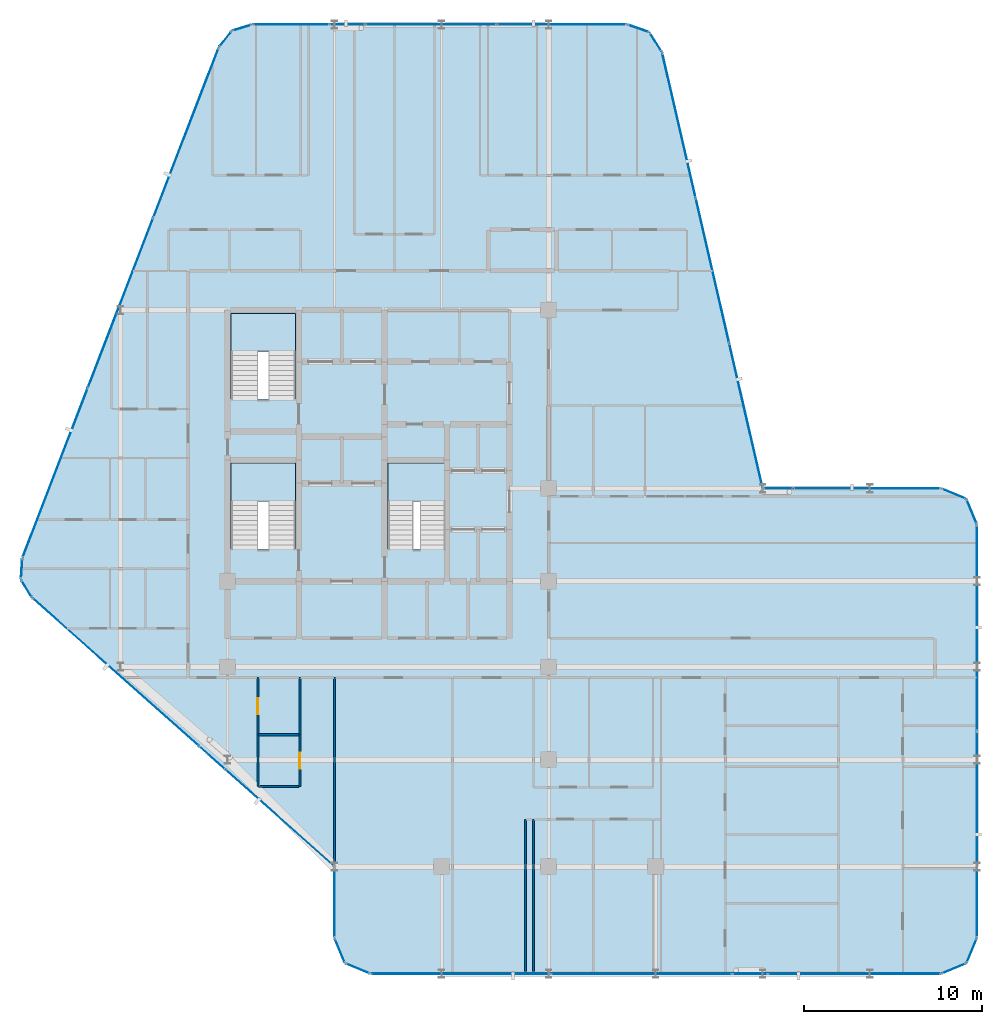
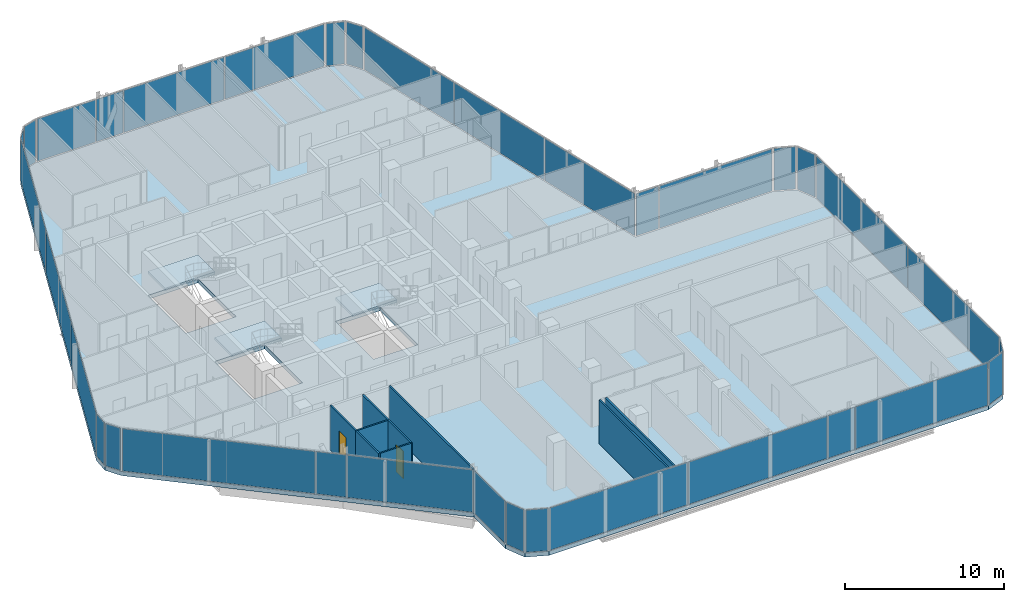
# One storey, part 22 of 29: 34 plates, 9 walls, 4 slabs, 2 doors, 2 openings, 30 elements without a shape of their own.
"""IFC4 building model written with IfcOpenShell, lengths in metres."""

from ifc_helpers import new_model, si_unit, direction, frame, frame_2d, origin, origin_2d, place, context, subcontext, project, spatial, polyline, rectangle, outline, extrude, material, layer, layer_set, type_object, element, fill, aggregate, save


model = new_model("IFC4")

# Units and contexts
model_context = context("Model", 3, precision=1e-05, world=origin(), true_north=direction((0.0, 1.0)))
body_context = subcontext(model_context, "Body", "Model", "MODEL_VIEW")
ifc_project = project(units=[si_unit("LENGTHUNIT", "METRE"), si_unit("AREAUNIT", "SQUARE_METRE"), si_unit("VOLUMEUNIT", "CUBIC_METRE"), si_unit("PLANEANGLEUNIT", "RADIAN"), si_unit("MASSUNIT", "GRAM", prefix="KILO")], contexts=[model_context])

# Site, building, storey
site_placement = place(None, origin())
site = spatial("IfcSite", under=ifc_project, at=site_placement, CompositionType="ELEMENT")
building_placement = place(site_placement, origin())
building = spatial("IfcBuilding", under=site, at=building_placement, Name="Keshet Zoharim Tower", CompositionType="ELEMENT")
storey_placement = place(building_placement, frame((0.0, 0.0, 203.199951171875)))
storey = spatial("IfcBuildingStorey", under=building, at=storey_placement, Name="L50", CompositionType="ELEMENT", Elevation=203.199951171875)

# Curtain wall, plate
ifc_material_1 = material(Name="Aluminium 6063-T6", Category="aluminium")
ifc_layer_1 = layer(ifc_material_1, 0.139892578125)
ifc_layer_set_1 = layer_set([ifc_layer_1], Name="Aluminium 6063-T6")
curtain_wall_type = type_object("IfcCurtainWallType", Name="CW-SYS-05", PredefinedType="NOTDEFINED", material=ifc_layer_set_1)
curtain_wall_1_placement = place(storey_placement, origin())
curtain_wall_1 = element("IfcCurtainWall", 1, at=curtain_wall_1_placement, inside=storey, type_object=curtain_wall_type, Name="L50 Unitised Curtain Wall 01", PredefinedType="NOTDEFINED")
ifc_material_2 = material(Name="Insulated Low-E Clear Glass", Category="glass")
ifc_layer_2 = layer(ifc_material_2, 0.031982421875)
ifc_layer_set_2 = layer_set([ifc_layer_2], Name="Insulated Low-E Clear Glass")
plate_type_1 = type_object("IfcPlateType", Name="CWP-02", PredefinedType="CURTAIN_PANEL", material=ifc_layer_set_2)
plate_1_placement = place(storey_placement, frame((55.70703125, 27.60693359375, 0.070068359375), z_axis=(0.0, 0.0, 1.0), x_axis=(0.92380975372, -0.382851849847, 0.0)))
plate_1 = element("IfcPlate", 2, at=plate_1_placement, type_object=plate_type_1, Name="CW-05 panel 1.1", PredefinedType="CURTAIN_PANEL", context=body_context, shape_type="SweptSolid", body=[
    extrude(rectangle(XDim=1.390625, YDim=0.031982421875, at=origin_2d()), origin(), (0.0, 0.0, 1.0), 3.25),
])
aggregate(curtain_wall_1, [plate_1])

curtain_wall_2_placement = place(storey_placement, origin())
curtain_wall_2 = element("IfcCurtainWall", 3, at=curtain_wall_2_placement, inside=storey, type_object=curtain_wall_type, Name="L50 Unitised Curtain Wall 02", PredefinedType="NOTDEFINED")
plate_2_placement = place(storey_placement, frame((56.70703125, 26.60693359375, 0.070068359375), z_axis=(0.0, 0.0, 1.0), x_axis=(0.382851849847, -0.92380975372, 0.0)))
plate_2 = element("IfcPlate", 4, at=plate_2_placement, type_object=plate_type_1, Name="CW-05 panel 1.1", PredefinedType="CURTAIN_PANEL", context=body_context, shape_type="SweptSolid", body=[
    extrude(rectangle(XDim=1.390625, YDim=0.031982421875, at=origin_2d()), origin(), (0.0, 0.0, 1.0), 3.25),
])
aggregate(curtain_wall_2, [plate_2])

# Curtain wall, plates
curtain_wall_3_placement = place(storey_placement, origin())
curtain_wall_3 = element("IfcCurtainWall", 5, at=curtain_wall_3_placement, inside=storey, type_object=curtain_wall_type, Name="L50 Unitised Curtain Wall 03", PredefinedType="NOTDEFINED")
plate_3_placement = place(storey_placement, frame((57.0, 20.08251953125, 0.070068359375), z_axis=(0.0, 0.0, 1.0), x_axis=(0.0, -1.0, 0.0)))
plate_3 = element("IfcPlate", 6, at=plate_3_placement, type_object=plate_type_1, Name="CW-05 panel 1.1", PredefinedType="CURTAIN_PANEL", context=body_context, shape_type="SweptSolid", body=[
    extrude(rectangle(XDim=11.4951171875, YDim=0.031982421875, at=origin_2d()), origin(), (0.0, 0.0, 1.0), 3.25),
])
plate_4_placement = place(storey_placement, frame((57.0, 8.517578125, 0.070068359375), z_axis=(0.0, 0.0, 1.0), x_axis=(0.0, -1.0, 0.0)))
plate_4 = element("IfcPlate", 7, at=plate_4_placement, type_object=plate_type_1, Name="CW-05 panel 2.1", PredefinedType="CURTAIN_PANEL", context=body_context, shape_type="SweptSolid", body=[
    extrude(rectangle(XDim=11.4951171875, YDim=0.031982421875, at=origin_2d()), origin(), (0.0, 0.0, 1.0), 3.25),
])
aggregate(curtain_wall_3, [plate_3, plate_4])

# Curtain wall, plate
curtain_wall_4_placement = place(storey_placement, origin())
curtain_wall_4 = element("IfcCurtainWall", 8, at=curtain_wall_4_placement, inside=storey, type_object=curtain_wall_type, Name="L50 Unitised Curtain Wall 04", PredefinedType="NOTDEFINED")
plate_5_placement = place(storey_placement, frame((56.70703125, 1.992919921875, 0.070068359375), z_axis=(0.0, 0.0, 1.0), x_axis=(-0.382851849847, -0.92380975372, 0.0)))
plate_5 = element("IfcPlate", 9, at=plate_5_placement, type_object=plate_type_1, Name="CW-05 panel 1.1", PredefinedType="CURTAIN_PANEL", context=body_context, shape_type="SweptSolid", body=[
    extrude(rectangle(XDim=1.390625, YDim=0.031982421875, at=origin_2d()), origin(), (0.0, 0.0, 1.0), 3.25),
])
aggregate(curtain_wall_4, [plate_5])

curtain_wall_5_placement = place(storey_placement, origin())
curtain_wall_5 = element("IfcCurtainWall", 10, at=curtain_wall_5_placement, inside=storey, type_object=curtain_wall_type, Name="L50 Unitised Curtain Wall 05", PredefinedType="NOTDEFINED")
plate_6_placement = place(storey_placement, frame((55.70703125, 0.992919921875, 0.070068359375), z_axis=(0.0, 0.0, 1.0), x_axis=(-0.92380975372, -0.382851849847, 0.0)))
plate_6 = element("IfcPlate", 11, at=plate_6_placement, type_object=plate_type_1, Name="CW-05 panel 1.1", PredefinedType="CURTAIN_PANEL", context=body_context, shape_type="SweptSolid", body=[
    extrude(rectangle(XDim=1.390625, YDim=0.031982421875, at=origin_2d()), origin(), (0.0, 0.0, 1.0), 3.25),
])
aggregate(curtain_wall_5, [plate_6])

curtain_wall_6_placement = place(storey_placement, origin())
curtain_wall_6 = element("IfcCurtainWall", 12, at=curtain_wall_6_placement, inside=storey, type_object=curtain_wall_type, Name="L50 Unitised Curtain Wall 06", PredefinedType="NOTDEFINED")
plate_7_placement = place(storey_placement, frame((50.1240234375, 0.699951171875, 0.070068359375), z_axis=(0.0, 0.0, 1.0), x_axis=(-1.0, 0.0, 0.0)))
plate_7 = element("IfcPlate", 13, at=plate_7_placement, type_object=plate_type_1, Name="CW-05 panel 1.1", PredefinedType="CURTAIN_PANEL", context=body_context, shape_type="SweptSolid", body=[
    extrude(rectangle(XDim=9.61181640625, YDim=0.031982421875, at=origin_2d()), origin(), (0.0, 0.0, 1.0), 3.25),
])
aggregate(curtain_wall_6, [plate_7])

# Curtain wall, plates
curtain_wall_7_placement = place(storey_placement, origin())
curtain_wall_7 = element("IfcCurtainWall", 14, at=curtain_wall_7_placement, inside=storey, type_object=curtain_wall_type, Name="L50 Unitised Curtain Wall 06 Part 3", PredefinedType="NOTDEFINED")
plate_8_placement = place(storey_placement, frame((38.20654296875, 0.699951171875, 0.070068359375), z_axis=(0.0, 0.0, 1.0), x_axis=(-1.0, 0.0, 0.0)))
plate_8 = element("IfcPlate", 15, at=plate_8_placement, type_object=plate_type_1, Name="CW-05 panel 1.1", PredefinedType="CURTAIN_PANEL", context=body_context, shape_type="SweptSolid", body=[
    extrude(rectangle(XDim=10.091064453125, YDim=0.031982421875, at=origin_2d()), origin(), (0.0, 0.0, 1.0), 3.25),
])
plate_9_placement = place(storey_placement, frame((28.08056640625, 0.699951171875, 0.070068359375), z_axis=(0.0, 0.0, 1.0), x_axis=(-1.0, 0.0, 0.0)))
plate_9 = element("IfcPlate", 16, at=plate_9_placement, type_object=plate_type_1, Name="CW-05 panel 2.1", PredefinedType="CURTAIN_PANEL", context=body_context, shape_type="SweptSolid", body=[
    extrude(rectangle(XDim=10.02099609375, YDim=0.031982421875, at=origin_2d()), origin(), (0.0, 0.0, 1.0), 3.25),
])
aggregate(curtain_wall_7, [plate_8, plate_9])

# Curtain wall, plate
curtain_wall_8_placement = place(storey_placement, origin())
curtain_wall_8 = element("IfcCurtainWall", 17, at=curtain_wall_8_placement, inside=storey, type_object=curtain_wall_type, Name="L50 Unitised Curtain Wall 07", PredefinedType="NOTDEFINED")
plate_10_placement = place(storey_placement, frame((22.29296875, 0.992919921875, 0.070068359375), z_axis=(0.0, 0.0, 1.0), x_axis=(-0.92380975372, 0.382851849847, 0.0)))
plate_10 = element("IfcPlate", 18, at=plate_10_placement, type_object=plate_type_1, Name="CW-05 panel 1.1", PredefinedType="CURTAIN_PANEL", context=body_context, shape_type="SweptSolid", body=[
    extrude(rectangle(XDim=1.390625, YDim=0.031982421875, at=origin_2d()), origin(), (0.0, 0.0, 1.0), 3.25),
])
aggregate(curtain_wall_8, [plate_10])

curtain_wall_9_placement = place(storey_placement, origin())
curtain_wall_9 = element("IfcCurtainWall", 19, at=curtain_wall_9_placement, inside=storey, type_object=curtain_wall_type, Name="L50 Unitised Curtain Wall 08", PredefinedType="NOTDEFINED")
plate_11_placement = place(storey_placement, frame((21.29296875, 1.992919921875, 0.070068359375), z_axis=(0.0, 0.0, 1.0), x_axis=(-0.382851849847, 0.92380975372, 0.0)))
plate_11 = element("IfcPlate", 20, at=plate_11_placement, type_object=plate_type_1, Name="CW-05 panel 1.1", PredefinedType="CURTAIN_PANEL", context=body_context, shape_type="SweptSolid", body=[
    extrude(rectangle(XDim=1.390625, YDim=0.031982421875, at=origin_2d()), origin(), (0.0, 0.0, 1.0), 3.25),
])
aggregate(curtain_wall_9, [plate_11])

curtain_wall_10_placement = place(storey_placement, origin())
curtain_wall_10 = element("IfcCurtainWall", 21, at=curtain_wall_10_placement, inside=storey, type_object=curtain_wall_type, Name="L50 Unitised Curtain Wall 09", PredefinedType="NOTDEFINED")
plate_12_placement = place(storey_placement, frame((21.0, 4.699951171875, 0.070068359375), z_axis=(0.0, 0.0, 1.0), x_axis=(0.0, 1.0, 0.0)))
plate_12 = element("IfcPlate", 22, at=plate_12_placement, type_object=plate_type_1, Name="CW-05 panel 1.1", PredefinedType="CURTAIN_PANEL", context=body_context, shape_type="SweptSolid", body=[
    extrude(rectangle(XDim=3.860107421875, YDim=0.031982421875, at=origin_2d()), origin(), (0.0, 0.0, 1.0), 3.25),
])
aggregate(curtain_wall_10, [plate_12])

curtain_wall_11_placement = place(storey_placement, origin())
curtain_wall_11 = element("IfcCurtainWall", 23, at=curtain_wall_11_placement, inside=storey, type_object=curtain_wall_type, Name="L50 Unitised Curtain Wall 10", PredefinedType="NOTDEFINED")
plate_13_placement = place(storey_placement, frame((17.92724609375, 9.431396484375, 0.070068359375), z_axis=(0.0, 0.0, 1.0), x_axis=(-0.74740596379, 0.664367613066, 0.0)))
plate_13 = element("IfcPlate", 24, at=plate_13_placement, type_object=plate_type_1, Name="CW-05 panel 1.1", PredefinedType="CURTAIN_PANEL", context=body_context, shape_type="SweptSolid", body=[
    extrude(rectangle(XDim=8.082763671875, YDim=0.031982421875, at=origin_2d()), origin(), (0.0, 0.0, 1.0), 3.25),
])
aggregate(curtain_wall_11, [plate_13])

curtain_wall_12_placement = place(storey_placement, origin())
curtain_wall_12 = element("IfcCurtainWall", 25, at=curtain_wall_12_placement, inside=storey, type_object=curtain_wall_type, Name="L50 Unitised Curtain Wall 10 Part 3", PredefinedType="NOTDEFINED")
plate_14_placement = place(storey_placement, frame((8.724853515625, 17.611328125, 0.070068359375), z_axis=(0.0, 0.0, 1.0), x_axis=(-0.747406666066, 0.664366823013, 0.0)))
plate_14 = element("IfcPlate", 26, at=plate_14_placement, type_object=plate_type_1, Name="CW-05 panel 1.1", PredefinedType="CURTAIN_PANEL", context=body_context, shape_type="SweptSolid", body=[
    extrude(rectangle(XDim=12.40966796875, YDim=0.031982421875, at=origin_2d()), origin(), (0.0, 0.0, 1.0), 3.25),
])
aggregate(curtain_wall_12, [plate_14])

curtain_wall_13_placement = place(storey_placement, origin())
curtain_wall_13 = element("IfcCurtainWall", 27, at=curtain_wall_13_placement, inside=storey, type_object=curtain_wall_type, Name="L50 Unitised Curtain Wall 11", PredefinedType="NOTDEFINED")
plate_15_placement = place(storey_placement, frame((3.7275390625, 22.291015625, 0.070068359375), z_axis=(0.0, 0.0, 1.0), x_axis=(-0.515604947933, 0.856826433805, 0.0)))
plate_15 = element("IfcPlate", 28, at=plate_15_placement, type_object=plate_type_1, Name="CW-05 panel 1.1", PredefinedType="CURTAIN_PANEL", context=body_context, shape_type="SweptSolid", body=[
    extrude(rectangle(XDim=1.052734375, YDim=0.031982421875, at=origin_2d()), origin(), (0.0, 0.0, 1.0), 3.25),
])
aggregate(curtain_wall_13, [plate_15])

curtain_wall_14_placement = place(storey_placement, origin())
curtain_wall_14 = element("IfcCurtainWall", 29, at=curtain_wall_14_placement, inside=storey, type_object=curtain_wall_type, Name="L50 Unitised Curtain Wall 12", PredefinedType="NOTDEFINED")
plate_16_placement = place(storey_placement, frame((3.45849609375, 23.3974609375, 0.070068359375), z_axis=(0.0, 0.0, 1.0), x_axis=(0.064516859374, 0.997916617186, 0.0)))
plate_16 = element("IfcPlate", 30, at=plate_16_placement, type_object=plate_type_1, Name="CW-05 panel 1.1", PredefinedType="CURTAIN_PANEL", context=body_context, shape_type="SweptSolid", body=[
    extrude(rectangle(XDim=1.053466796875, YDim=0.031982421875, at=origin_2d()), origin(), (0.0, 0.0, 1.0), 3.25),
])
aggregate(curtain_wall_14, [plate_16])

# Curtain wall, plates
curtain_wall_15_placement = place(storey_placement, origin())
curtain_wall_15 = element("IfcCurtainWall", 31, at=curtain_wall_15_placement, inside=storey, type_object=curtain_wall_type, Name="L50 Unitised Curtain Wall 13", PredefinedType="NOTDEFINED")
plate_17_placement = place(storey_placement, frame((5.33837890625, 28.7802734375, 0.070068359375), z_axis=(0.0, 0.0, 1.0), x_axis=(0.358990003907, 0.933341404361, 0.0)))
plate_17 = element("IfcPlate", 32, at=plate_17_placement, type_object=plate_type_1, Name="CW-05 panel 1.1", PredefinedType="CURTAIN_PANEL", context=body_context, shape_type="SweptSolid", body=[
    extrude(rectangle(XDim=10.1181640625, YDim=0.031982421875, at=origin_2d()), origin(), (0.0, 0.0, 1.0), 3.25),
])
plate_18_placement = place(storey_placement, frame((9.001953125, 38.305419921875, 0.070068359375), z_axis=(0.0, 0.0, 1.0), x_axis=(0.358990003907, 0.933341404361, 0.0)))
plate_18 = element("IfcPlate", 33, at=plate_18_placement, type_object=plate_type_1, Name="CW-05 panel 2.1", PredefinedType="CURTAIN_PANEL", context=body_context, shape_type="SweptSolid", body=[
    extrude(rectangle(XDim=10.153076171875, YDim=0.031982421875, at=origin_2d()), origin(), (0.0, 0.0, 1.0), 3.25),
])
plate_19_placement = place(storey_placement, frame((12.665771484375, 47.830810546875, 0.070068359375), z_axis=(0.0, 0.0, 1.0), x_axis=(0.358990003907, 0.933341404361, 0.0)))
plate_19 = element("IfcPlate", 34, at=plate_19_placement, type_object=plate_type_1, Name="CW-05 panel 3.1", PredefinedType="CURTAIN_PANEL", context=body_context, shape_type="SweptSolid", body=[
    extrude(rectangle(XDim=10.1181640625, YDim=0.031982421875, at=origin_2d()), origin(), (0.0, 0.0, 1.0), 3.25),
])
aggregate(curtain_wall_15, [plate_17, plate_18, plate_19])

# Curtain wall, plate
curtain_wall_16_placement = place(storey_placement, origin())
curtain_wall_16 = element("IfcCurtainWall", 35, at=curtain_wall_16_placement, inside=storey, type_object=curtain_wall_type, Name="L50 Unitised Curtain Wall 14", PredefinedType="NOTDEFINED")
plate_20_placement = place(storey_placement, frame((14.8740234375, 53.08349609375, 0.070068359375), z_axis=(0.0, 0.0, 1.0), x_axis=(0.619124525989, 0.785292825205, 0.0)))
plate_20 = element("IfcPlate", 36, at=plate_20_placement, type_object=plate_type_1, Name="CW-05 panel 1.1", PredefinedType="CURTAIN_PANEL", context=body_context, shape_type="SweptSolid", body=[
    extrude(rectangle(XDim=1.045654296875, YDim=0.031982421875, at=origin_2d()), origin(), (0.0, 0.0, 1.0), 3.25),
])
aggregate(curtain_wall_16, [plate_20])

curtain_wall_17_placement = place(storey_placement, origin())
curtain_wall_17 = element("IfcCurtainWall", 37, at=curtain_wall_17_placement, inside=storey, type_object=curtain_wall_type, Name="L50 Unitised Curtain Wall 15", PredefinedType="NOTDEFINED")
plate_21_placement = place(storey_placement, frame((15.8076171875, 53.724609375, 0.070068359375), z_axis=(0.0, 0.0, 1.0), x_axis=(0.955212151288, 0.295921857984, 0.0)))
plate_21 = element("IfcPlate", 38, at=plate_21_placement, type_object=plate_type_1, Name="CW-05 panel 1.1", PredefinedType="CURTAIN_PANEL", context=body_context, shape_type="SweptSolid", body=[
    extrude(rectangle(XDim=1.046142578125, YDim=0.031982421875, at=origin_2d()), origin(), (0.0, 0.0, 1.0), 3.25),
])
aggregate(curtain_wall_17, [plate_21])

curtain_wall_18_placement = place(storey_placement, origin())
curtain_wall_18 = element("IfcCurtainWall", 39, at=curtain_wall_18_placement, inside=storey, type_object=curtain_wall_type, Name="L50 Unitised Curtain Wall 16", PredefinedType="NOTDEFINED")
plate_22_placement = place(storey_placement, frame((18.56298828125, 53.89990234375, 0.070068359375), z_axis=(0.0, 0.0, 1.0), x_axis=(1.0, 0.0, 0.0)))
plate_22 = element("IfcPlate", 40, at=plate_22_placement, type_object=plate_type_1, Name="CW-05 panel 1.1", PredefinedType="CURTAIN_PANEL", context=body_context, shape_type="SweptSolid", body=[
    extrude(rectangle(XDim=4.23779296875, YDim=0.031982421875, at=origin_2d()), origin(), (0.0, 0.0, 1.0), 3.25),
])
aggregate(curtain_wall_18, [plate_22])

# Curtain wall, plates
curtain_wall_19_placement = place(storey_placement, origin())
curtain_wall_19 = element("IfcCurtainWall", 41, at=curtain_wall_19_placement, inside=storey, type_object=curtain_wall_type, Name="L50 Unitised Curtain Wall 16 Part 3", PredefinedType="NOTDEFINED")
plate_23_placement = place(storey_placement, frame((26.395751953125, 53.89990234375, 0.070068359375), z_axis=(0.0, 0.0, 1.0), x_axis=(1.0, 0.0, 0.0)))
plate_23 = element("IfcPlate", 42, at=plate_23_placement, type_object=plate_type_1, Name="CW-05 panel 1.1", PredefinedType="CURTAIN_PANEL", context=body_context, shape_type="SweptSolid", body=[
    extrude(rectangle(XDim=7.29541015625, YDim=0.031982421875, at=origin_2d()), origin(), (0.0, 0.0, 1.0), 3.25),
])
plate_24_placement = place(storey_placement, frame((33.726318359375, 53.89990234375, 0.070068359375), z_axis=(0.0, 0.0, 1.0), x_axis=(1.0, 0.0, 0.0)))
plate_24 = element("IfcPlate", 43, at=plate_24_placement, type_object=plate_type_1, Name="CW-05 panel 2.1", PredefinedType="CURTAIN_PANEL", context=body_context, shape_type="SweptSolid", body=[
    extrude(rectangle(XDim=7.225341796875, YDim=0.031982421875, at=origin_2d()), origin(), (0.0, 0.0, 1.0), 3.25),
])
aggregate(curtain_wall_19, [plate_23, plate_24])

# Curtain wall, plate
curtain_wall_20_placement = place(storey_placement, origin())
curtain_wall_20 = element("IfcCurtainWall", 44, at=curtain_wall_20_placement, inside=storey, type_object=curtain_wall_type, Name="L50 Unitised Curtain Wall 17", PredefinedType="NOTDEFINED")
plate_25_placement = place(storey_placement, frame((38.031494140625, 53.6826171875, 0.070068359375), z_axis=(0.0, 0.0, 1.0), x_axis=(0.944035542119, -0.329843743636, 0.0)))
plate_25 = element("IfcPlate", 45, at=plate_25_placement, type_object=plate_type_1, Name="CW-05 panel 1.1", PredefinedType="CURTAIN_PANEL", context=body_context, shape_type="SweptSolid", body=[
    extrude(rectangle(XDim=1.1787109375, YDim=0.031982421875, at=origin_2d()), origin(), (0.0, 0.0, 1.0), 3.25),
])
aggregate(curtain_wall_20, [plate_25])

curtain_wall_21_placement = place(storey_placement, origin())
curtain_wall_21 = element("IfcCurtainWall", 46, at=curtain_wall_21_placement, inside=storey, type_object=curtain_wall_type, Name="L50 Unitised Curtain Wall 18", PredefinedType="NOTDEFINED")
plate_26_placement = place(storey_placement, frame((39.006103515625, 52.907470703125, 0.070068359375), z_axis=(0.0, 0.0, 1.0), x_axis=(0.533878858502, -0.845560976183, 0.0)))
plate_26 = element("IfcPlate", 47, at=plate_26_placement, type_object=plate_type_1, Name="CW-05 panel 1.1", PredefinedType="CURTAIN_PANEL", context=body_context, shape_type="SweptSolid", body=[
    extrude(rectangle(XDim=1.1787109375, YDim=0.031982421875, at=origin_2d()), origin(), (0.0, 0.0, 1.0), 3.25),
])
aggregate(curtain_wall_21, [plate_26])

# Curtain wall, plates
curtain_wall_22_placement = place(storey_placement, origin())
curtain_wall_22 = element("IfcCurtainWall", 48, at=curtain_wall_22_placement, inside=storey, type_object=curtain_wall_type, Name="L50 Unitised Curtain Wall 19", PredefinedType="NOTDEFINED")
plate_27_placement = place(storey_placement, frame((40.30224609375, 48.258056640625, 0.070068359375), z_axis=(0.0, 0.0, 1.0), x_axis=(0.224847864369, -0.974393882313, 0.0)))
plate_27 = element("IfcPlate", 49, at=plate_27_placement, type_object=plate_type_1, Name="CW-05 panel 1.1", PredefinedType="CURTAIN_PANEL", context=body_context, shape_type="SweptSolid", body=[
    extrude(rectangle(XDim=8.25927734375, YDim=0.031982421875, at=origin_2d()), origin(), (0.0, 0.0, 1.0), 3.25),
])
plate_28_placement = place(storey_placement, frame((42.178955078125, 40.125, 0.070068359375), z_axis=(0.0, 0.0, 1.0), x_axis=(0.224847864369, -0.974393882313, 0.0)))
plate_28 = element("IfcPlate", 50, at=plate_28_placement, type_object=plate_type_1, Name="CW-05 panel 2.1", PredefinedType="CURTAIN_PANEL", context=body_context, shape_type="SweptSolid", body=[
    extrude(rectangle(XDim=8.294189453125, YDim=0.031982421875, at=origin_2d()), origin(), (0.0, 0.0, 1.0), 3.25),
])
plate_29_placement = place(storey_placement, frame((44.0556640625, 31.991943359375, 0.070068359375), z_axis=(0.0, 0.0, 1.0), x_axis=(0.224847864369, -0.974393882313, 0.0)))
plate_29 = element("IfcPlate", 51, at=plate_29_placement, type_object=plate_type_1, Name="CW-05 panel 3.1", PredefinedType="CURTAIN_PANEL", context=body_context, shape_type="SweptSolid", body=[
    extrude(rectangle(XDim=8.25927734375, YDim=0.031982421875, at=origin_2d()), origin(), (0.0, 0.0, 1.0), 3.25),
])
aggregate(curtain_wall_22, [plate_27, plate_28, plate_29])

# Curtain wall, plate
curtain_wall_23_placement = place(storey_placement, origin())
curtain_wall_23 = element("IfcCurtainWall", 52, at=curtain_wall_23_placement, inside=storey, type_object=curtain_wall_type, Name="L50 Unitised Curtain Wall 20 Part 2", PredefinedType="NOTDEFINED")
plate_30_placement = place(storey_placement, frame((50.839111328125, 27.89990234375, 0.070068359375), z_axis=(0.0, 0.0, 1.0), x_axis=(1.0, 0.0, 0.0)))
plate_30 = element("IfcPlate", 53, at=plate_30_placement, type_object=plate_type_1, Name="CW-05 panel 1.1", PredefinedType="CURTAIN_PANEL", context=body_context, shape_type="SweptSolid", body=[
    extrude(rectangle(XDim=8.181884765625, YDim=0.031982421875, at=origin_2d()), origin(), (0.0, 0.0, 1.0), 3.25),
])
aggregate(curtain_wall_23, [plate_30])

curtain_wall_24_placement = place(storey_placement, origin())
curtain_wall_24 = element("IfcCurtainWall", 54, at=curtain_wall_24_placement, inside=storey, type_object=curtain_wall_type, Name="L50 Unitised Curtain Wall 06 Part 2", PredefinedType="NOTDEFINED")
ifc_material_3 = material(Name="Insulated Aluminium Spandrel Panel", Category="aluminium")
ifc_layer_3 = layer(ifc_material_3, 0.031982421875)
ifc_layer_set_3 = layer_set([ifc_layer_3], Name="Insulated Aluminium Spandrel Panel")
plate_type_2 = type_object("IfcPlateType", Name="CWP-05", PredefinedType="CURTAIN_PANEL", material=ifc_layer_set_3)
plate_31_placement = place(storey_placement, frame((44.284912109375, 0.699951171875, 0.070068359375), z_axis=(0.0, 0.0, 1.0), x_axis=(-1.0, 0.0, 0.0)))
plate_31 = element("IfcPlate", 55, at=plate_31_placement, type_object=plate_type_2, Name="CW-05 spandrel panel 1.1", PredefinedType="CURTAIN_PANEL", context=body_context, shape_type="SweptSolid", body=[
    extrude(rectangle(XDim=1.92626953125, YDim=0.031982421875, at=origin_2d()), origin(), (0.0, 0.0, 1.0), 3.25),
])
aggregate(curtain_wall_24, [plate_31])

curtain_wall_25_placement = place(storey_placement, origin())
curtain_wall_25 = element("IfcCurtainWall", 56, at=curtain_wall_25_placement, inside=storey, type_object=curtain_wall_type, Name="L50 Unitised Curtain Wall 10 Part 2", PredefinedType="NOTDEFINED")
plate_32_placement = place(storey_placement, frame((14.134521484375, 12.802734375, 0.070068359375), z_axis=(0.0, 0.0, 1.0), x_axis=(-0.747439721297, 0.664329634314, 0.0)))
plate_32 = element("IfcPlate", 57, at=plate_32_placement, type_object=plate_type_2, Name="CW-05 spandrel panel 1.1", PredefinedType="CURTAIN_PANEL", context=body_context, shape_type="SweptSolid", body=[
    extrude(rectangle(XDim=1.92626953125, YDim=0.031982421875, at=origin_2d()), origin(), (0.0, 0.0, 1.0), 3.25),
])
aggregate(curtain_wall_25, [plate_32])

curtain_wall_26_placement = place(storey_placement, origin())
curtain_wall_26 = element("IfcCurtainWall", 58, at=curtain_wall_26_placement, inside=storey, type_object=curtain_wall_type, Name="L50 Unitised Curtain Wall 16 Part 2", PredefinedType="NOTDEFINED")
plate_33_placement = place(storey_placement, frame((21.715087890625, 53.89990234375, 0.070068359375), z_axis=(0.0, 0.0, 1.0), x_axis=(1.0, 0.0, 0.0)))
plate_33 = element("IfcPlate", 59, at=plate_33_placement, type_object=plate_type_2, Name="CW-05 spandrel panel 1.1", PredefinedType="CURTAIN_PANEL", context=body_context, shape_type="SweptSolid", body=[
    extrude(rectangle(XDim=1.92626953125, YDim=0.031982421875, at=origin_2d()), origin(), (0.0, 0.0, 1.0), 3.25),
])
aggregate(curtain_wall_26, [plate_33])

curtain_wall_27_placement = place(storey_placement, origin())
curtain_wall_27 = element("IfcCurtainWall", 60, at=curtain_wall_27_placement, inside=storey, type_object=curtain_wall_type, Name="L50 Unitised Curtain Wall 20", PredefinedType="NOTDEFINED")
plate_34_placement = place(storey_placement, frame((45.8740234375, 27.89990234375, 0.070068359375), z_axis=(0.0, 0.0, 1.0), x_axis=(1.0, 0.0, 0.0)))
plate_34 = element("IfcPlate", 61, at=plate_34_placement, type_object=plate_type_2, Name="CW-05 spandrel panel 1.1", PredefinedType="CURTAIN_PANEL", context=body_context, shape_type="SweptSolid", body=[
    extrude(rectangle(XDim=1.608154296875, YDim=0.031982421875, at=origin_2d()), origin(), (0.0, 0.0, 1.0), 3.25),
])
aggregate(curtain_wall_27, [plate_34])

# Stair, slab
ifc_material_4 = material(Name="Concrete C50/60", Category="concrete")
stair_type = type_object("IfcStairType", Name="STR-EXIT-135", PredefinedType="HALF_TURN_STAIR", material=ifc_material_4)
stair_1_placement = place(storey_placement, origin())
stair_1 = element("IfcStair", 62, at=stair_1_placement, inside=storey, type_object=stair_type, Name="L50 Enclosed Exit Stair ST-01", PredefinedType="HALF_TURN_STAIR")
ifc_layer_4 = layer(ifc_material_4, 0.199951171875)
ifc_layer_set_4 = layer_set([ifc_layer_4], Name="Concrete C50/60")
slab_type_1 = type_object("IfcSlabType", Name="SLB-LND-200", PredefinedType="LANDING", material=ifc_layer_set_4)
slab_1_placement = place(storey_placement, frame((0.0, 0.0, 1.650146484375)))
slab_1 = element("IfcSlab", 63, at=slab_1_placement, type_object=slab_type_1, Name="ST-01 landing 1", PredefinedType="LANDING", context=body_context, shape_type="SweptSolid", body=[
    extrude(outline(polyline([(15.179931640625, 27.159912109375), (18.820068359375, 27.159912109375), (18.820068359375, 29.320068359375), (15.179931640625, 29.320068359375), (15.179931640625, 27.159912109375)])), origin(), (0.0, 0.0, 1.0), 0.199951171875),
])
aggregate(stair_1, [slab_1])

stair_2_placement = place(storey_placement, origin())
stair_2 = element("IfcStair", 64, at=stair_2_placement, inside=storey, type_object=stair_type, Name="L50 Enclosed Exit Stair ST-02", PredefinedType="HALF_TURN_STAIR")
slab_2_placement = place(storey_placement, frame((0.0, 0.0, 1.650146484375)))
slab_2 = element("IfcSlab", 65, at=slab_2_placement, type_object=slab_type_1, Name="ST-02 landing 1", PredefinedType="LANDING", context=body_context, shape_type="SweptSolid", body=[
    extrude(outline(polyline([(15.179931640625, 35.56005859375), (18.820068359375, 35.56005859375), (18.820068359375, 37.719970703125), (15.179931640625, 37.719970703125), (15.179931640625, 35.56005859375)])), origin(), (0.0, 0.0, 1.0), 0.199951171875),
])
aggregate(stair_2, [slab_2])

stair_3_placement = place(storey_placement, origin())
stair_3 = element("IfcStair", 66, at=stair_3_placement, inside=storey, type_object=stair_type, Name="L50 Enclosed Exit Stair ST-03", PredefinedType="HALF_TURN_STAIR")
slab_3_placement = place(storey_placement, frame((0.0, 0.0, 1.650146484375)))
slab_3 = element("IfcSlab", 67, at=slab_3_placement, type_object=slab_type_1, Name="ST-03 landing 1", PredefinedType="LANDING", context=body_context, shape_type="SweptSolid", body=[
    extrude(outline(polyline([(23.97998046875, 27.159912109375), (27.219970703125, 27.159912109375), (27.219970703125, 29.320068359375), (23.97998046875, 29.320068359375), (23.97998046875, 27.159912109375)])), origin(), (0.0, 0.0, 1.0), 0.199951171875),
])
aggregate(stair_3, [slab_3])

# Slab
ifc_layer_5 = layer(ifc_material_4, 0.31005859375)
ifc_layer_set_5 = layer_set([ifc_layer_5], Name="Concrete C50/60")
slab_type_2 = type_object("IfcSlabType", Name="SLB-UPP-240", PredefinedType="FLOOR", material=ifc_layer_set_5)
slab_4_placement = place(storey_placement, frame((0.0, 0.0, -0.31005859375)))
element("IfcSlab", 68, at=slab_4_placement, inside=storey, type_object=slab_type_2, Name="L50 Structural Floor Slab 1", PredefinedType="FLOOR", context=body_context, shape_type="SweptSolid", body=[
    extrude(outline(polyline([(55.0, 27.89990234375), (56.4140625, 27.31396484375), (57.0, 25.89990234375), (57.0, 2.699951171875), (56.4140625, 1.285888671875), (55.0, 0.699951171875), (23.0, 0.699951171875), (21.5859375, 1.285888671875), (21.0, 2.699951171875), (21.0, 6.699951171875), (4.034912109375, 21.780029296875), (3.419921875, 22.802001953125), (3.4970703125, 23.992919921875), (14.507080078125, 52.617919921875), (15.240966796875, 53.549072265625), (16.3740234375, 53.89990234375), (37.408935546875, 53.89990234375), (38.654052734375, 53.465087890625), (39.35791015625, 52.35009765625), (45.0, 27.89990234375), (55.0, 27.89990234375)]), holes=[polyline([(15.179931640625, 24.52001953125), (18.820068359375, 24.52001953125), (18.820068359375, 29.320068359375), (15.179931640625, 29.320068359375), (15.179931640625, 24.52001953125)]), polyline([(15.179931640625, 32.919921875), (18.820068359375, 32.919921875), (18.820068359375, 37.719970703125), (15.179931640625, 37.719970703125), (15.179931640625, 32.919921875)]), polyline([(23.97998046875, 24.52001953125), (27.219970703125, 24.52001953125), (27.219970703125, 29.320068359375), (23.97998046875, 29.320068359375), (23.97998046875, 24.52001953125)])]), origin(), (0.0, 0.0, 1.0), 0.31005859375),
])

# Wall, opening, door
ifc_material_5 = material(Name="Gypsum Plasterboard", Category="gypsum")
ifc_layer_6 = layer(ifc_material_5, 0.1201171875)
ifc_layer_set_6 = layer_set([ifc_layer_6], Name="Gypsum Plasterboard")
wall_type_1 = type_object("IfcWallType", Name="WL-PART-120", PredefinedType="PARTITIONING", material=ifc_layer_set_6)
wall_1_placement = place(storey_placement, frame((16.699951171875, 14.10009765625, 0.0), z_axis=(0.0, 0.0, 1.0), x_axis=(0.0, 1.0, 0.0)))
wall_1 = element("IfcWall", 69, at=wall_1_placement, inside=storey, type_object=wall_type_1, Name="L50 Interior Wall 022", PredefinedType="PARTITIONING", context=body_context, shape_type="SweptSolid", body=[
    extrude(rectangle(XDim=3.199951171875, YDim=0.1201171875, at=frame_2d((1.60009765625, 0.0))), origin(), (0.0, 0.0, 1.0), 3.39013671875),
])
opening_1_placement = place(wall_1_placement, frame((1.14990234375, 0.0, 0.0)))
opening_1 = element("IfcOpeningElement", 70, at=opening_1_placement, cuts=wall_1, Name="Opening D-IN90", PredefinedType="OPENING", context=body_context, shape_type="SweptSolid", body=[
    extrude(rectangle(XDim=0.89990234375, YDim=2.14990234375, at=frame_2d((0.449951171875, 1.074951171875))), frame((0.0, 0.070068359375, 0.0), z_axis=(0.0, -1.0, 0.0), x_axis=(1.0, 0.0, 0.0)), (0.0, 0.0, 1.0), 0.14013671875),
])
ifc_material_6 = material(Name="Hardwood Timber", Category="wood")
door_type_1 = type_object("IfcDoorType", Name="DR-INT-090", OperationType="NOTDEFINED", PredefinedType="DOOR", material=ifc_material_6)
door_1_placement = place(opening_1_placement, origin())
door_1 = element("IfcDoor", 71, at=door_1_placement, inside=storey, type_object=door_type_1, Name="Apartment 5001 Kitchenette Door", OperationType="SINGLE_SWING_LEFT", OverallHeight=2.14990234375, OverallWidth=0.89990234375, PredefinedType="DOOR", context=body_context, shape_type="SweptSolid", body=[
    extrude(rectangle(XDim=0.89990234375, YDim=2.14990234375, at=frame_2d((0.449951171875, 1.074951171875))), frame((0.0, 0.02490234375, 0.0), z_axis=(0.0, -1.0, 0.0), x_axis=(1.0, 0.0, 0.0)), (0.0, 0.0, 1.0), 0.050048828125),
])
fill(opening_1, door_1)

# Walls
wall_2_placement = place(storey_placement, frame((19.050048828125, 14.10009765625, 0.0), z_axis=(0.0, 0.0, 1.0), x_axis=(0.0, 1.0, 0.0)))
element("IfcWall", 72, at=wall_2_placement, inside=storey, type_object=wall_type_1, Name="L50 Interior Wall 029", PredefinedType="PARTITIONING", context=body_context, shape_type="SweptSolid", body=[
    extrude(rectangle(XDim=3.199951171875, YDim=0.1201171875, at=frame_2d((1.60009765625, 0.0))), origin(), (0.0, 0.0, 1.0), 3.39013671875),
])
wall_3_placement = place(storey_placement, frame((21.0, 6.7099609375, 0.0), z_axis=(0.0, 0.0, 1.0), x_axis=(0.0, 1.0, 0.0)))
element("IfcWall", 73, at=wall_3_placement, inside=storey, type_object=wall_type_1, Name="L50 Interior Wall 033", PredefinedType="PARTITIONING", context=body_context, shape_type="SweptSolid", body=[
    extrude(rectangle(XDim=10.590087890625, YDim=0.1201171875, at=frame_2d((5.294921875, 0.0))), origin(), (0.0, 0.0, 1.0), 3.39013671875),
])
for number, where, z_axis, x_axis, name in (
    (74, (31.699951171875, 0.7099609375, 0.0), (0.0, 0.0, 1.0), (0.0, 1.0, 0.0), "L50 Interior Wall 066"),
    (75, (32.14990234375, 0.7099609375, 0.0), (0.0, 0.0, 1.0), (0.0, 1.0, 0.0), "L50 Interior Wall 067"),
):
    element("IfcWall", number, at=place(storey_placement, frame(where, z_axis=z_axis, x_axis=x_axis)), inside=storey, type_object=wall_type_1, Name=name, PredefinedType="PARTITIONING", context=body_context, shape_type="SweptSolid", body=[
        extrude(rectangle(XDim=8.64013671875, YDim=0.1201171875, at=frame_2d((4.320068359375, 0.0))), origin(), (0.0, 0.0, 1.0), 3.39013671875),
    ])
ifc_layer_7 = layer(ifc_material_5, 0.1201171875)
ifc_layer_set_7 = layer_set([ifc_layer_7], Name="Gypsum Plasterboard")
wall_type_2 = type_object("IfcWallType", Name="WL-WET-120", PredefinedType="PARTITIONING", material=ifc_layer_set_7)
wall_4_placement = place(storey_placement, frame((16.699951171875, 11.199951171875, 0.0), z_axis=(0.0, 0.0, 1.0), x_axis=(0.0, 1.0, 0.0)))
element("IfcWall", 76, at=wall_4_placement, inside=storey, type_object=wall_type_2, Name="L50 Interior Wall 021", PredefinedType="PARTITIONING", context=body_context, shape_type="SweptSolid", body=[
    extrude(rectangle(XDim=2.900146484375, YDim=0.1201171875, at=frame_2d((1.4501953125, 0.0))), origin(), (0.0, 0.0, 1.0), 3.39013671875),
])

# Wall, opening, door
wall_5_placement = place(storey_placement, frame((19.050048828125, 11.199951171875, 0.0), z_axis=(0.0, 0.0, 1.0), x_axis=(0.0, 1.0, 0.0)))
wall_5 = element("IfcWall", 77, at=wall_5_placement, inside=storey, type_object=wall_type_2, Name="L50 Interior Wall 028", PredefinedType="PARTITIONING", context=body_context, shape_type="SweptSolid", body=[
    extrude(rectangle(XDim=2.900146484375, YDim=0.1201171875, at=frame_2d((1.4501953125, 0.0))), origin(), (0.0, 0.0, 1.0), 3.39013671875),
])
opening_2_placement = place(wall_5_placement, frame((1.0, 0.0, 0.0)))
opening_2 = element("IfcOpeningElement", 78, at=opening_2_placement, cuts=wall_5, Name="Opening D-WT90", PredefinedType="OPENING", context=body_context, shape_type="SweptSolid", body=[
    extrude(rectangle(XDim=0.89990234375, YDim=2.10009765625, at=frame_2d((0.449951171875, 1.050048828125))), frame((0.0, 0.070068359375, 0.0), z_axis=(0.0, -1.0, 0.0), x_axis=(1.0, 0.0, 0.0)), (0.0, 0.0, 1.0), 0.14013671875),
])
door_type_2 = type_object("IfcDoorType", Name="DR-WET-090", OperationType="NOTDEFINED", PredefinedType="DOOR", material=ifc_material_6)
door_2_placement = place(opening_2_placement, origin())
door_2 = element("IfcDoor", 79, at=door_2_placement, inside=storey, type_object=door_type_2, Name="Apartment 5001 Bathroom Door", OperationType="SINGLE_SWING_RIGHT", OverallHeight=2.10009765625, OverallWidth=0.89990234375, PredefinedType="DOOR", context=body_context, shape_type="SweptSolid", body=[
    extrude(rectangle(XDim=0.89990234375, YDim=2.10009765625, at=frame_2d((0.449951171875, 1.050048828125))), frame((0.0, 0.02490234375, 0.0), z_axis=(0.0, -1.0, 0.0), x_axis=(1.0, 0.0, 0.0)), (0.0, 0.0, 1.0), 0.050048828125),
])
fill(opening_2, door_2)

# Walls
for number, where, z_axis, x_axis, name in (
    (80, (16.7451171875, 11.199951171875, 0.0), (0.0, 0.0, 1.0), (1.0, 0.0, 0.0), "L50 Interior Wall 105"),
    (81, (16.7451171875, 14.10009765625, 0.0), (0.0, 0.0, 1.0), (1.0, 0.0, 0.0), "L50 Interior Wall 108"),
):
    element("IfcWall", number, at=place(storey_placement, frame(where, z_axis=z_axis, x_axis=x_axis)), inside=storey, type_object=wall_type_2, Name=name, PredefinedType="PARTITIONING", context=body_context, shape_type="SweptSolid", body=[
        extrude(rectangle(XDim=2.259765625, YDim=0.1201171875, at=frame_2d((1.1298828125, 0.0))), origin(), (0.0, 0.0, 1.0), 3.39013671875),
    ])

save(model, "model.ifc")
